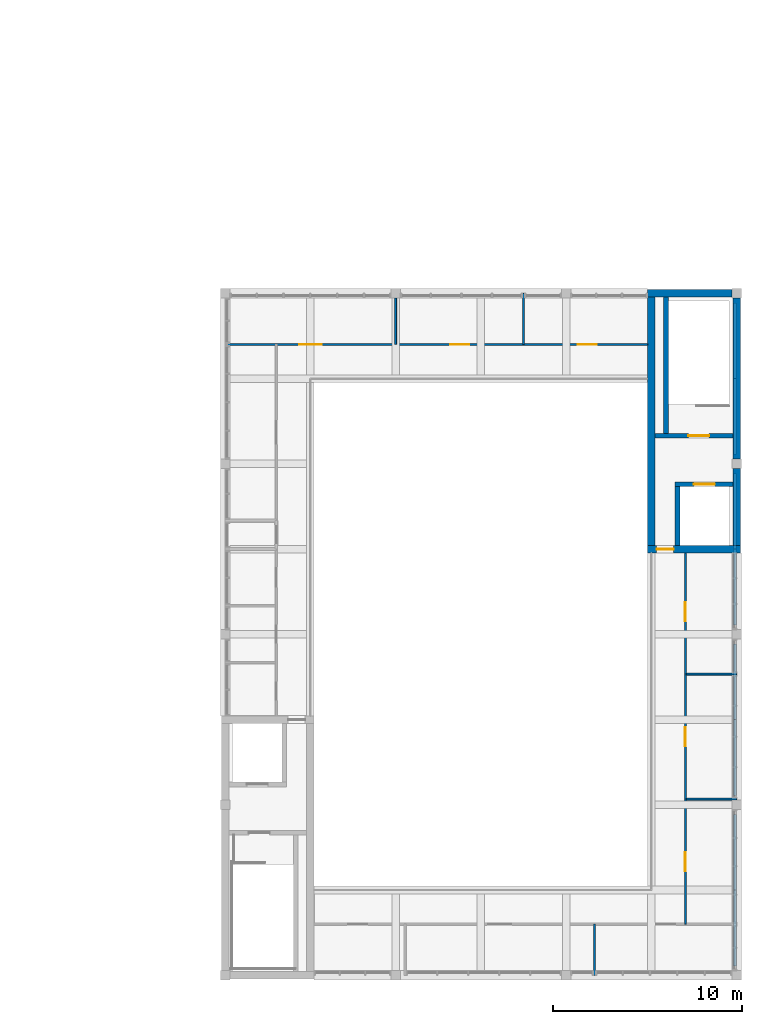
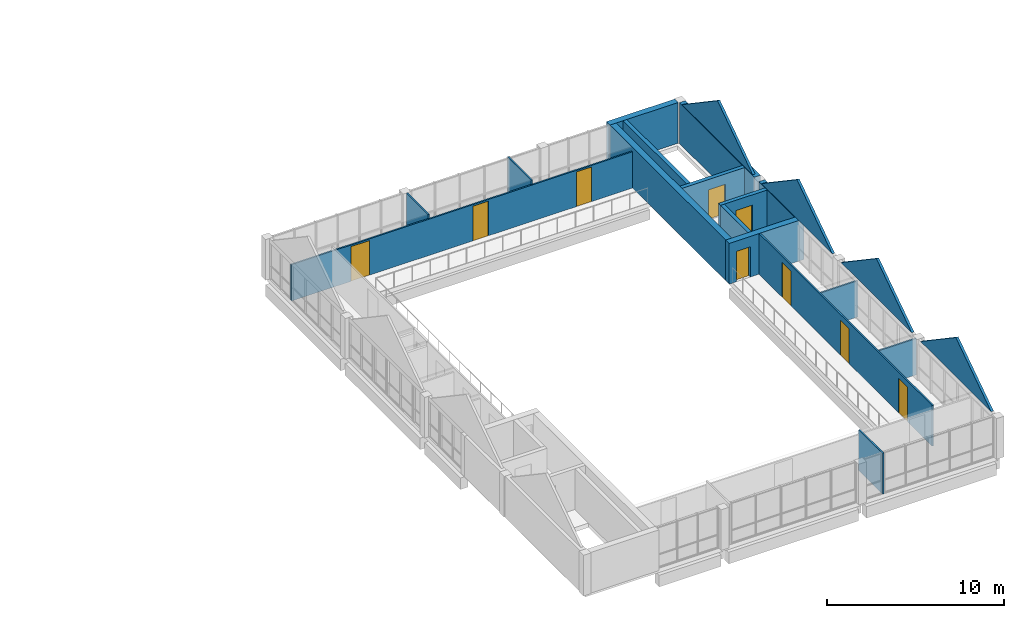
# One storey, part 31 of 50: 17 walls, 9 doors, 9 openings.
"""IFC4 building model written with IfcOpenShell, lengths in metres."""

from ifc_helpers import new_model, si_unit, direction, frame, frame_2d, origin, place, context, subcontext, project, spatial, polyline, rectangle, outline, extrude, material, layer, layer_set, type_object, element, fill, save


model = new_model("IFC4")

# Units and contexts
model_context = context("Model", 3, precision=1e-05, world=origin(), true_north=direction((0.0, 1.0)))
body_context = subcontext(model_context, "Body", "Model", "MODEL_VIEW")
ifc_project = project(units=[si_unit("LENGTHUNIT", "METRE"), si_unit("AREAUNIT", "SQUARE_METRE"), si_unit("VOLUMEUNIT", "CUBIC_METRE"), si_unit("PLANEANGLEUNIT", "RADIAN"), si_unit("MASSUNIT", "GRAM", prefix="KILO")], contexts=[model_context])

# Site, building, storey
site_placement = place(None, origin())
site = spatial("IfcSite", under=ifc_project, at=site_placement, CompositionType="ELEMENT")
building_placement = place(site_placement, origin())
building = spatial("IfcBuilding", under=site, at=building_placement, Name="Merrow Basin Faculty of Sciences", CompositionType="ELEMENT")
storey_placement = place(building_placement, frame((0.0, 0.0, 18.0)))
storey = spatial("IfcBuildingStorey", under=building, at=storey_placement, Name="L04", CompositionType="ELEMENT", Elevation=18.0)

# Walls
ifc_material_1 = material(Name="Precast concrete C40/50", Category="concrete")
ifc_layer_1 = layer(ifc_material_1, 0.159912109375)
ifc_layer_set_1 = layer_set([ifc_layer_1], Name="Frame infill wall 160 Precast concrete C40/50")
wall_type_1 = type_object("IfcWallType", Name="Frame infill wall 160 Precast concrete C40/50", PredefinedType="STANDARD", material=ifc_layer_set_1)
wall_1_placement = place(storey_placement, frame((71.919921875, 36.0, 2.81298828125), z_axis=(0.0, 0.0, 1.0), x_axis=(0.0, -1.0, 0.0)))
element("IfcWall", 1, at=wall_1_placement, inside=storey, type_object=wall_type_1, Name="East frame infill wall", PredefinedType="STANDARD", context=body_context, shape_type="SweptSolid", body=[
    extrude(outline(polyline([(0.5, 0.0), (8.5, 0.0), (8.5, 0.0), (4.5, 2.699951171875), (0.5, 0.0), (0.5, 0.0)])), frame((0.0, 0.080078125, 0.0), z_axis=(0.0, -1.0, 0.0), x_axis=(1.0, 0.0, 0.0)), (0.0, 0.0, 1.0), 0.159912109375),
    extrude(outline(polyline([(9.5, 0.0), (17.5, 0.0), (17.5, 0.0), (13.5, 2.699951171875), (9.5, 0.0), (9.5, 0.0)])), frame((0.0, 0.080078125, 0.0), z_axis=(0.0, -1.0, 0.0), x_axis=(1.0, 0.0, 0.0)), (0.0, 0.0, 1.0), 0.159912109375),
    extrude(outline(polyline([(18.5, 0.0), (26.5, 0.0), (26.5, 0.0), (22.5, 2.699951171875), (18.5, 0.0), (18.5, 0.0)])), frame((0.0, 0.080078125, 0.0), z_axis=(0.0, -1.0, 0.0), x_axis=(1.0, 0.0, 0.0)), (0.0, 0.0, 1.0), 0.159912109375),
    extrude(outline(polyline([(27.5, 0.0), (35.5, 0.0), (35.5, 0.0), (31.5, 2.699951171875), (27.5, 0.0), (27.5, 0.0)])), frame((0.0, 0.080078125, 0.0), z_axis=(0.0, -1.0, 0.0), x_axis=(1.0, 0.0, 0.0)), (0.0, 0.0, 1.0), 0.159912109375),
])
ifc_material_2 = material(Name="Gypsum board")
ifc_layer_2 = layer(ifc_material_2, 0.10009765625)
ifc_layer_set_2 = layer_set([ifc_layer_2], Name="Partition 100 gypsum board on steel studs")
wall_type_2 = type_object("IfcWallType", Name="Partition 100 gypsum board on steel studs", PredefinedType="PARTITIONING", material=ifc_layer_set_2)
wall_2_placement = place(storey_placement, frame((54.0, 33.300048828125, 0.0), z_axis=(0.0, 0.0, 1.0), x_axis=(0.0, 1.0, 0.0)))
element("IfcWall", 2, at=wall_2_placement, inside=storey, type_object=wall_type_2, Name="IW100 L04 008", PredefinedType="PARTITIONING", context=body_context, shape_type="SweptSolid", body=[
    extrude(rectangle(XDim=2.449951171875, YDim=0.10009765625, at=frame_2d((1.22509765625, 0.0))), origin(), (0.0, 0.0, 1.0), 2.81298828125),
])
for number, where, z_axis, x_axis, name in (
    (3, (60.75, 33.300048828125, 0.0), (0.0, 0.0, 1.0), (0.0, 1.0, 0.0), "IW100 L04 010"),
    (4, (64.5, 0.0, 0.0), (0.0, 0.0, 1.0), (0.0, 1.0, 0.0), "IW100 L04 011"),
):
    element("IfcWall", number, at=place(storey_placement, frame(where, z_axis=z_axis, x_axis=x_axis)), inside=storey, type_object=wall_type_2, Name=name, PredefinedType="PARTITIONING", context=body_context, shape_type="SweptSolid", body=[
        extrude(rectangle(XDim=2.699951171875, YDim=0.10009765625, at=frame_2d((1.35009765625, 0.0))), origin(), (0.0, 0.0, 1.0), 2.81298828125),
    ])

# Wall, openings, doors
wall_3_placement = place(storey_placement, frame((69.300048828125, 2.699951171875, 0.0), z_axis=(0.0, 0.0, 1.0), x_axis=(0.0, 1.0, 0.0)))
wall_3 = element("IfcWall", 5, at=wall_3_placement, inside=storey, type_object=wall_type_2, Name="IW100 L04 012", PredefinedType="PARTITIONING", context=body_context, shape_type="SweptSolid", body=[
    extrude(rectangle(XDim=19.60009765625, YDim=0.10009765625, at=frame_2d((9.800048828125, 0.0))), origin(), (0.0, 0.0, 1.0), 2.81298828125),
])
opening_1_placement = place(wall_3_placement, frame((2.800048828125, 0.0, 0.0)))
opening_1 = element("IfcOpeningElement", 6, at=opening_1_placement, cuts=wall_3, Name="Opening D04A008", PredefinedType="OPENING", context=body_context, shape_type="SweptSolid", body=[
    extrude(rectangle(XDim=1.0, YDim=2.39990234375, at=frame_2d((0.5, 1.199951171875))), frame((0.0, 0.06005859375, 0.0), z_axis=(0.0, -1.0, 0.0), x_axis=(1.0, 0.0, 0.0)), (0.0, 0.0, 1.0), 0.1201171875),
])
opening_2_placement = place(wall_3_placement, frame((9.39990234375, 0.0, 0.0)))
opening_2 = element("IfcOpeningElement", 7, at=opening_2_placement, cuts=wall_3, Name="Opening D04A009", PredefinedType="OPENING", context=body_context, shape_type="SweptSolid", body=[
    extrude(rectangle(XDim=1.0, YDim=2.39990234375, at=frame_2d((0.5, 1.199951171875))), frame((0.0, 0.06005859375, 0.0), z_axis=(0.0, -1.0, 0.0), x_axis=(1.0, 0.0, 0.0)), (0.0, 0.0, 1.0), 0.1201171875),
])
opening_3_placement = place(wall_3_placement, frame((16.0, 0.0, 0.0)))
opening_3 = element("IfcOpeningElement", 8, at=opening_3_placement, cuts=wall_3, Name="Opening D04A010", PredefinedType="OPENING", context=body_context, shape_type="SweptSolid", body=[
    extrude(rectangle(XDim=1.0, YDim=2.39990234375, at=frame_2d((0.5, 1.199951171875))), frame((0.0, 0.06005859375, 0.0), z_axis=(0.0, -1.0, 0.0), x_axis=(1.0, 0.0, 0.0)), (0.0, 0.0, 1.0), 0.1201171875),
])
ifc_material_3 = material(Name="Glazed aluminium door", Category="aluminium")
door_type_1 = type_object("IfcDoorType", Name="Glazed single door 1000 x 2400", OperationType="NOTDEFINED", PredefinedType="DOOR", material=ifc_material_3)
door_1_placement = place(opening_1_placement, origin())
door_1 = element("IfcDoor", 9, at=door_1_placement, inside=storey, type_object=door_type_1, Name="Door D04A008", OperationType="SINGLE_SWING_LEFT", OverallHeight=2.39990234375, OverallWidth=1.0, PredefinedType="DOOR", context=body_context, shape_type="SweptSolid", body=[
    extrude(rectangle(XDim=1.0, YDim=2.39990234375, at=frame_2d((0.5, 1.199951171875))), frame((0.0, 0.02490234375, 0.0), z_axis=(0.0, -1.0, 0.0), x_axis=(1.0, 0.0, 0.0)), (0.0, 0.0, 1.0), 0.050048828125),
])
fill(opening_1, door_1)
door_2_placement = place(opening_2_placement, origin())
door_2 = element("IfcDoor", 10, at=door_2_placement, inside=storey, type_object=door_type_1, Name="Door D04A009", OperationType="SINGLE_SWING_RIGHT", OverallHeight=2.39990234375, OverallWidth=1.0, PredefinedType="DOOR", context=body_context, shape_type="SweptSolid", body=[
    extrude(rectangle(XDim=1.0, YDim=2.39990234375, at=frame_2d((0.5, 1.199951171875))), frame((0.0, 0.02490234375, 0.0), z_axis=(0.0, -1.0, 0.0), x_axis=(1.0, 0.0, 0.0)), (0.0, 0.0, 1.0), 0.050048828125),
])
fill(opening_2, door_2)
door_3_placement = place(opening_3_placement, origin())
door_3 = element("IfcDoor", 11, at=door_3_placement, inside=storey, type_object=door_type_1, Name="Door D04A010", OperationType="SINGLE_SWING_LEFT", OverallHeight=2.39990234375, OverallWidth=1.0, PredefinedType="DOOR", context=body_context, shape_type="SweptSolid", body=[
    extrude(rectangle(XDim=1.0, YDim=2.39990234375, at=frame_2d((0.5, 1.199951171875))), frame((0.0, 0.02490234375, 0.0), z_axis=(0.0, -1.0, 0.0), x_axis=(1.0, 0.0, 0.0)), (0.0, 0.0, 1.0), 0.050048828125),
])
fill(opening_3, door_3)

# Walls
for number, where, z_axis, x_axis, name in (
    (12, (69.35009765625, 9.300048828125, 0.0), (0.0, 0.0, 1.0), (1.0, 0.0, 0.0), "IW100 L04 014"),
    (13, (69.35009765625, 15.89990234375, 0.0), (0.0, 0.0, 1.0), (1.0, 0.0, 0.0), "IW100 L04 015"),
):
    element("IfcWall", number, at=place(storey_placement, frame(where, z_axis=z_axis, x_axis=x_axis)), inside=storey, type_object=wall_type_2, Name=name, PredefinedType="PARTITIONING", context=body_context, shape_type="SweptSolid", body=[
        extrude(rectangle(XDim=2.64990234375, YDim=0.10009765625, at=frame_2d((1.324951171875, 0.0))), origin(), (0.0, 0.0, 1.0), 2.512939453125),
    ])

# Wall, openings, doors
wall_4_placement = place(storey_placement, frame((45.0, 33.300048828125, 0.0), z_axis=(0.0, 0.0, 1.0), x_axis=(1.0, 0.0, 0.0)))
wall_4 = element("IfcWall", 14, at=wall_4_placement, inside=storey, type_object=wall_type_2, Name="IW100 L04 016", PredefinedType="PARTITIONING", context=body_context, shape_type="SweptSolid", body=[
    extrude(rectangle(XDim=22.300048828125, YDim=0.10009765625, at=frame_2d((11.14990234375, 0.0))), origin(), (0.0, 0.0, 1.0), 2.512939453125),
])
opening_4_placement = place(wall_4_placement, frame((3.89990234375, 0.0, 0.0)))
opening_4 = element("IfcOpeningElement", 15, at=opening_4_placement, cuts=wall_4, Name="Opening D04A011", PredefinedType="OPENING", context=body_context, shape_type="SweptSolid", body=[
    extrude(rectangle(XDim=1.199951171875, YDim=2.39990234375, at=frame_2d((0.60009765625, 1.199951171875))), frame((0.0, 0.06005859375, 0.0), z_axis=(0.0, -1.0, 0.0), x_axis=(1.0, 0.0, 0.0)), (0.0, 0.0, 1.0), 0.1201171875),
])
opening_5_placement = place(wall_4_placement, frame((11.875, 0.0, 0.0)))
opening_5 = element("IfcOpeningElement", 16, at=opening_5_placement, cuts=wall_4, Name="Opening D04A012", PredefinedType="OPENING", context=body_context, shape_type="SweptSolid", body=[
    extrude(rectangle(XDim=1.0, YDim=2.39990234375, at=frame_2d((0.5, 1.199951171875))), frame((0.0, 0.06005859375, 0.0), z_axis=(0.0, -1.0, 0.0), x_axis=(1.0, 0.0, 0.0)), (0.0, 0.0, 1.0), 0.1201171875),
])
opening_6_placement = place(wall_4_placement, frame((18.625, 0.0, 0.0)))
opening_6 = element("IfcOpeningElement", 17, at=opening_6_placement, cuts=wall_4, Name="Opening D04A013", PredefinedType="OPENING", context=body_context, shape_type="SweptSolid", body=[
    extrude(rectangle(XDim=1.0, YDim=2.39990234375, at=frame_2d((0.5, 1.199951171875))), frame((0.0, 0.06005859375, 0.0), z_axis=(0.0, -1.0, 0.0), x_axis=(1.0, 0.0, 0.0)), (0.0, 0.0, 1.0), 0.1201171875),
])
door_4_placement = place(opening_5_placement, origin())
door_4 = element("IfcDoor", 18, at=door_4_placement, inside=storey, type_object=door_type_1, Name="Door D04A012", OperationType="SINGLE_SWING_LEFT", OverallHeight=2.39990234375, OverallWidth=1.0, PredefinedType="DOOR", context=body_context, shape_type="SweptSolid", body=[
    extrude(rectangle(XDim=1.0, YDim=2.39990234375, at=frame_2d((0.5, 1.199951171875))), frame((0.0, 0.02490234375, 0.0), z_axis=(0.0, -1.0, 0.0), x_axis=(1.0, 0.0, 0.0)), (0.0, 0.0, 1.0), 0.050048828125),
])
fill(opening_5, door_4)
door_5_placement = place(opening_6_placement, origin())
door_5 = element("IfcDoor", 19, at=door_5_placement, inside=storey, type_object=door_type_1, Name="Door D04A013", OperationType="SINGLE_SWING_LEFT", OverallHeight=2.39990234375, OverallWidth=1.0, PredefinedType="DOOR", context=body_context, shape_type="SweptSolid", body=[
    extrude(rectangle(XDim=1.0, YDim=2.39990234375, at=frame_2d((0.5, 1.199951171875))), frame((0.0, 0.02490234375, 0.0), z_axis=(0.0, -1.0, 0.0), x_axis=(1.0, 0.0, 0.0)), (0.0, 0.0, 1.0), 0.050048828125),
])
fill(opening_6, door_5)
ifc_material_4 = material(Name="Glazed aluminium door", Category="aluminium")
door_type_2 = type_object("IfcDoorType", Name="Glazed single door 1200 x 2400", OperationType="NOTDEFINED", PredefinedType="DOOR", material=ifc_material_4)
door_6_placement = place(opening_4_placement, origin())
door_6 = element("IfcDoor", 20, at=door_6_placement, inside=storey, type_object=door_type_2, Name="Door D04A011", OperationType="SINGLE_SWING_LEFT", OverallHeight=2.39990234375, OverallWidth=1.199951171875, PredefinedType="DOOR", context=body_context, shape_type="SweptSolid", body=[
    extrude(rectangle(XDim=1.199951171875, YDim=2.39990234375, at=frame_2d((0.60009765625, 1.199951171875))), frame((0.0, 0.02490234375, 0.0), z_axis=(0.0, -1.0, 0.0), x_axis=(1.0, 0.0, 0.0)), (0.0, 0.0, 1.0), 0.050048828125),
])
fill(opening_4, door_6)

# Wall, opening, door
ifc_material_5 = material(Name="Concrete C40/50", Category="concrete")
ifc_layer_3 = layer(ifc_material_5, 0.25)
ifc_layer_set_3 = layer_set([ifc_layer_3], Name="Shear wall 250 Concrete C40/50")
wall_type_3 = type_object("IfcWallType", Name="Shear wall 250 Concrete C40/50", PredefinedType="SHEAR", material=ifc_layer_set_3)
wall_5_placement = place(storey_placement, frame((67.699951171875, 28.47509765625, 0.0), z_axis=(0.0, 0.0, 1.0), x_axis=(1.0, 0.0, 0.0)))
wall_5 = element("IfcWall", 21, at=wall_5_placement, inside=storey, type_object=wall_type_3, Name="SW2 L04 015", PredefinedType="SHEAR", context=body_context, shape_type="SweptSolid", body=[
    extrude(rectangle(XDim=4.10009765625, YDim=0.25, at=frame_2d((2.050048828125, 0.0))), origin(), (0.0, 0.0, 1.0), 2.81298828125),
])
opening_7_placement = place(wall_5_placement, frame((1.75, 0.0, 0.0)))
opening_7 = element("IfcOpeningElement", 22, at=opening_7_placement, cuts=wall_5, Name="Opening D04A003", PredefinedType="OPENING", context=body_context, shape_type="SweptSolid", body=[
    extrude(rectangle(XDim=1.10009765625, YDim=2.10009765625, at=frame_2d((0.550048828125, 1.050048828125))), frame((0.0, 0.135009765625, 0.0), z_axis=(0.0, -1.0, 0.0), x_axis=(1.0, 0.0, 0.0)), (0.0, 0.0, 1.0), 0.27001953125),
])
ifc_material_6 = material(Name="Fire-rated steel door", Category="steel")
door_type_3 = type_object("IfcDoorType", Name="Fire door FD90 1100 x 2100", OperationType="NOTDEFINED", PredefinedType="DOOR", material=ifc_material_6)
door_7_placement = place(opening_7_placement, origin())
door_7 = element("IfcDoor", 23, at=door_7_placement, inside=storey, type_object=door_type_3, Name="Door D04A003", OperationType="SINGLE_SWING_RIGHT", OverallHeight=2.10009765625, OverallWidth=1.10009765625, PredefinedType="DOOR", context=body_context, shape_type="SweptSolid", body=[
    extrude(rectangle(XDim=1.10009765625, YDim=2.10009765625, at=frame_2d((0.550048828125, 1.050048828125))), frame((0.0, 0.02490234375, 0.0), z_axis=(0.0, -1.0, 0.0), x_axis=(1.0, 0.0, 0.0)), (0.0, 0.0, 1.0), 0.050048828125),
])
fill(opening_7, door_7)

# Wall
wall_6_placement = place(storey_placement, frame((68.27490234375, 28.60009765625, 0.0), z_axis=(0.0, 0.0, 1.0), x_axis=(0.0, 1.0, 0.0)))
element("IfcWall", 24, at=wall_6_placement, inside=storey, type_object=wall_type_3, Name="SW2 L04 016", PredefinedType="SHEAR", context=body_context, shape_type="SweptSolid", body=[
    extrude(rectangle(XDim=7.199951171875, YDim=0.25, at=frame_2d((3.60009765625, 0.0))), origin(), (0.0, 0.0, 1.0), 2.81298828125),
])

# Wall, opening, door
wall_7_placement = place(storey_placement, frame((68.75, 25.925048828125, 0.0), z_axis=(0.0, 0.0, 1.0), x_axis=(1.0, 0.0, 0.0)))
wall_7 = element("IfcWall", 25, at=wall_7_placement, inside=storey, type_object=wall_type_3, Name="SW2 L04 017", PredefinedType="SHEAR", context=body_context, shape_type="SweptSolid", body=[
    extrude(rectangle(XDim=3.050048828125, YDim=0.25, at=frame_2d((1.52490234375, 0.0))), origin(), (0.0, 0.0, 1.0), 2.81298828125),
])
opening_8_placement = place(wall_7_placement, frame((1.0, 0.0, 0.0)))
opening_8 = element("IfcOpeningElement", 26, at=opening_8_placement, cuts=wall_7, Name="Opening LD04A02", PredefinedType="OPENING", context=body_context, shape_type="SweptSolid", body=[
    extrude(rectangle(XDim=1.10009765625, YDim=2.10009765625, at=frame_2d((0.550048828125, 1.050048828125))), frame((0.0, 0.135009765625, 0.0), z_axis=(0.0, -1.0, 0.0), x_axis=(1.0, 0.0, 0.0)), (0.0, 0.0, 1.0), 0.27001953125),
])
ifc_material_7 = material(Name="Stainless steel sliding door", Category="steel")
door_type_4 = type_object("IfcDoorType", Name="Lift landing door 1100 x 2100 sliding", OperationType="NOTDEFINED", PredefinedType="DOOR", material=ifc_material_7)
door_8_placement = place(opening_8_placement, origin())
door_8 = element("IfcDoor", 27, at=door_8_placement, inside=storey, type_object=door_type_4, Name="Landing door LF10 L04", OperationType="SLIDING_TO_LEFT", OverallHeight=2.10009765625, OverallWidth=1.10009765625, PredefinedType="DOOR", context=body_context, shape_type="SweptSolid", body=[
    extrude(rectangle(XDim=1.10009765625, YDim=2.10009765625, at=frame_2d((0.550048828125, 1.050048828125))), frame((0.0, 0.02490234375, 0.0), z_axis=(0.0, -1.0, 0.0), x_axis=(1.0, 0.0, 0.0)), (0.0, 0.0, 1.0), 0.050048828125),
])
fill(opening_8, door_8)

# Wall
wall_8_placement = place(storey_placement, frame((68.875, 22.699951171875, 0.0), z_axis=(0.0, 0.0, 1.0), x_axis=(0.0, 1.0, 0.0)))
element("IfcWall", 28, at=wall_8_placement, inside=storey, type_object=wall_type_3, Name="SW2 L04 018", PredefinedType="SHEAR", context=body_context, shape_type="SweptSolid", body=[
    extrude(rectangle(XDim=3.10009765625, YDim=0.25, at=frame_2d((1.550048828125, 0.0))), origin(), (0.0, 0.0, 1.0), 2.81298828125),
])

# Wall, opening, door
ifc_material_8 = material(Name="Concrete C40/50", Category="concrete")
ifc_layer_4 = layer(ifc_material_8, 0.39990234375)
ifc_layer_set_4 = layer_set([ifc_layer_4], Name="Shear wall 400 Concrete C40/50")
wall_type_4 = type_object("IfcWallType", Name="Shear wall 400 Concrete C40/50", PredefinedType="SHEAR", material=ifc_layer_set_4)
wall_9_placement = place(storey_placement, frame((67.300048828125, 22.5, 0.0), z_axis=(0.0, 0.0, 1.0), x_axis=(1.0, 0.0, 0.0)))
wall_9 = element("IfcWall", 29, at=wall_9_placement, inside=storey, type_object=wall_type_4, Name="SW1 L04 010", PredefinedType="SHEAR", context=body_context, shape_type="SweptSolid", body=[
    extrude(rectangle(XDim=4.89990234375, YDim=0.39990234375, at=frame_2d((2.449951171875, 0.0))), origin(), (0.0, 0.0, 1.0), 2.81298828125),
])
opening_9_placement = place(wall_9_placement, frame((0.47509765625, 0.0, 0.0)))
opening_9 = element("IfcOpeningElement", 30, at=opening_9_placement, cuts=wall_9, Name="Opening D04A004", PredefinedType="OPENING", context=body_context, shape_type="SweptSolid", body=[
    extrude(rectangle(XDim=0.89990234375, YDim=2.10009765625, at=frame_2d((0.449951171875, 1.050048828125))), frame((0.0, 0.2099609375, 0.0), z_axis=(0.0, -1.0, 0.0), x_axis=(1.0, 0.0, 0.0)), (0.0, 0.0, 1.0), 0.419921875),
])
ifc_material_9 = material(Name="Fire-rated steel door", Category="steel")
door_type_5 = type_object("IfcDoorType", Name="Fire door FD60 900 x 2100", OperationType="NOTDEFINED", PredefinedType="DOOR", material=ifc_material_9)
door_9_placement = place(opening_9_placement, origin())
door_9 = element("IfcDoor", 31, at=door_9_placement, inside=storey, type_object=door_type_5, Name="Door D04A004", OperationType="SINGLE_SWING_LEFT", OverallHeight=2.10009765625, OverallWidth=0.89990234375, PredefinedType="DOOR", context=body_context, shape_type="SweptSolid", body=[
    extrude(rectangle(XDim=0.89990234375, YDim=2.10009765625, at=frame_2d((0.449951171875, 1.050048828125))), frame((0.0, 0.02490234375, 0.0), z_axis=(0.0, -1.0, 0.0), x_axis=(1.0, 0.0, 0.0)), (0.0, 0.0, 1.0), 0.050048828125),
])
fill(opening_9, door_9)

# Walls
wall_10_placement = place(storey_placement, frame((67.300048828125, 36.0, 0.0), z_axis=(0.0, 0.0, 1.0), x_axis=(1.0, 0.0, 0.0)))
element("IfcWall", 32, at=wall_10_placement, inside=storey, type_object=wall_type_4, Name="SW1 L04 011", PredefinedType="SHEAR", context=body_context, shape_type="SweptSolid", body=[
    extrude(rectangle(XDim=4.449951171875, YDim=0.39990234375, at=frame_2d((2.22509765625, 0.0))), origin(), (0.0, 0.0, 1.0), 2.81298828125),
])
wall_11_placement = place(storey_placement, frame((67.5, 22.699951171875, 0.0), z_axis=(0.0, 0.0, 1.0), x_axis=(0.0, 1.0, 0.0)))
element("IfcWall", 33, at=wall_11_placement, inside=storey, type_object=wall_type_4, Name="SW1 L04 012", PredefinedType="SHEAR", context=body_context, shape_type="SweptSolid", body=[
    extrude(rectangle(XDim=13.10009765625, YDim=0.39990234375, at=frame_2d((6.550048828125, 0.0))), origin(), (0.0, 0.0, 1.0), 2.81298828125),
])
wall_12_placement = place(storey_placement, frame((72.0, 27.25, 0.0), z_axis=(0.0, 0.0, 1.0), x_axis=(0.0, 1.0, 0.0)))
element("IfcWall", 34, at=wall_12_placement, inside=storey, type_object=wall_type_4, Name="SW1 L04 013", PredefinedType="SHEAR", context=body_context, shape_type="SweptSolid", body=[
    extrude(rectangle(XDim=8.5, YDim=0.39990234375, at=frame_2d((4.25, 0.0))), origin(), (0.0, 0.0, 1.0), 2.81298828125),
])
wall_13_placement = place(storey_placement, frame((72.0, 22.699951171875, 0.0), z_axis=(0.0, 0.0, 1.0), x_axis=(0.0, 1.0, 0.0)))
element("IfcWall", 35, at=wall_13_placement, inside=storey, type_object=wall_type_4, Name="SW1 L04 014", PredefinedType="SHEAR", context=body_context, shape_type="SweptSolid", body=[
    extrude(rectangle(XDim=4.050048828125, YDim=0.39990234375, at=frame_2d((2.02490234375, 0.0))), origin(), (0.0, 0.0, 1.0), 2.81298828125),
])

save(model, "model.ifc")
